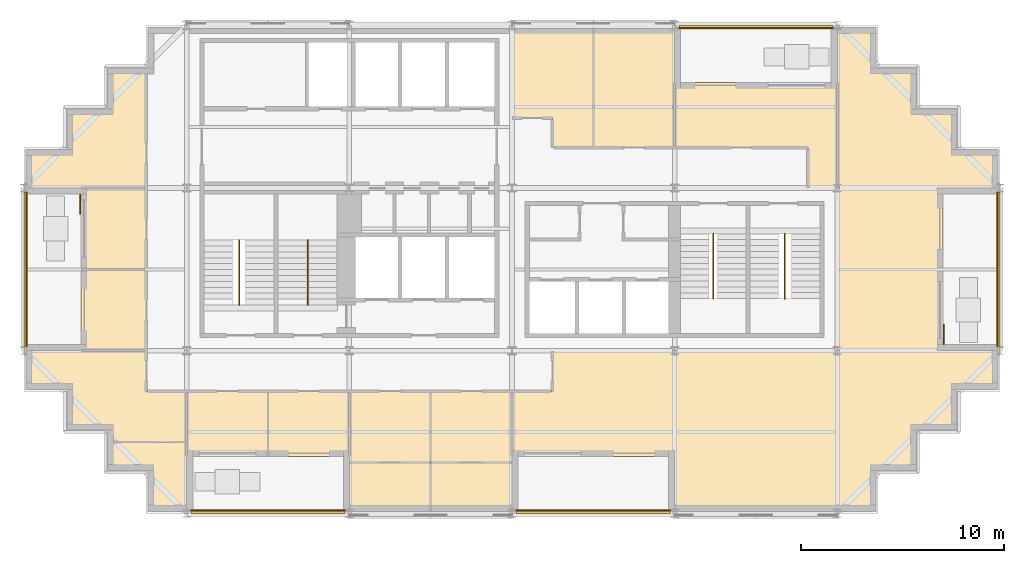
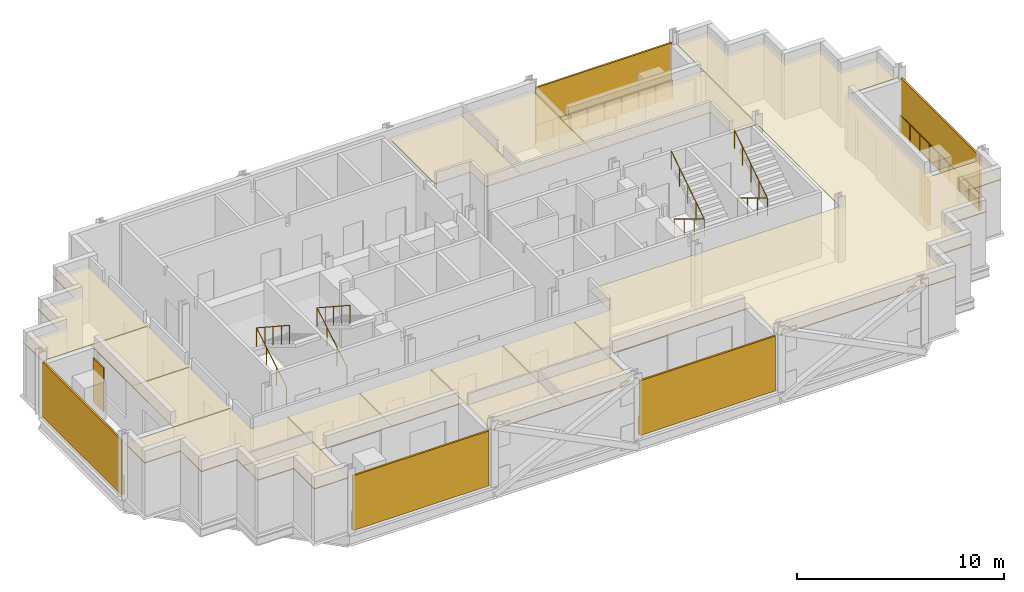
# One storey, part 7 of 8: 15 coverings, 9 railings, 7 shading devices.
"""IFC4 building model written with IfcOpenShell, lengths in metres."""

from ifc_helpers import new_model, si_unit, direction, frame, origin, origin_2d, place, context, subcontext, project, spatial, polyline, rectangle, circle, outline, extrude, material, layer, layer_set, type_object, element, save


model = new_model("IFC4")

# Units and contexts
model_context = context("Model", 3, precision=1e-05, world=origin(), true_north=direction((0.0, 1.0)))
body_context = subcontext(model_context, "Body", "Model", "MODEL_VIEW")
ifc_project = project(units=[si_unit("LENGTHUNIT", "METRE"), si_unit("AREAUNIT", "SQUARE_METRE"), si_unit("VOLUMEUNIT", "CUBIC_METRE"), si_unit("PLANEANGLEUNIT", "RADIAN"), si_unit("MASSUNIT", "GRAM", prefix="KILO")], contexts=[model_context])

# Site, building, storey
site_placement = place(None, origin())
site = spatial("IfcSite", under=ifc_project, at=site_placement, CompositionType="ELEMENT")
building_placement = place(site_placement, origin())
building = spatial("IfcBuilding", under=site, at=building_placement, Name="Immortelle Media Tower", CompositionType="ELEMENT")
storey_placement = place(building_placement, frame((0.0, 0.0, 197.0)))
storey = spatial("IfcBuildingStorey", under=building, at=storey_placement, Name="L41", CompositionType="ELEMENT", Elevation=197.0)

# Railings
ifc_material_1 = material(Name="Powder-coated aluminium fretwork panel, laminated glass backing", Category="aluminium")
railing_type_1 = type_object("IfcRailingType", Name="Fretwork balustrade 1100", PredefinedType="BALUSTRADE", material=ifc_material_1)
railing_1_placement = place(storey_placement, frame((8.200439453125, 0.139892578125, 0.0)))
element("IfcRailing", 1, at=railing_1_placement, inside=storey, type_object=railing_type_1, Name="Fretwork balustrade L41 S0", PredefinedType="BALUSTRADE", context=body_context, shape_type="SweptSolid", body=[
    extrude(circle(Radius=0.02490234375, at=origin_2d()), frame((0.0, 0.0, 1.0751953125), z_axis=(1.0, 0.0, 0.0), x_axis=(0.0, 1.0, 0.0)), (0.0, 0.0, 1.0), 7.593994140625),
    extrude(circle(Radius=0.02001953125, at=origin_2d()), origin(), (0.0, 0.0, 1.0), 1.050048828125),
    extrude(circle(Radius=0.02001953125, at=origin_2d()), frame((0.94921875, 0.0, 0.0)), (0.0, 0.0, 1.0), 1.050048828125),
    extrude(circle(Radius=0.02001953125, at=origin_2d()), frame((1.8984375, 0.0, 0.0)), (0.0, 0.0, 1.0), 1.050048828125),
    extrude(circle(Radius=0.02001953125, at=origin_2d()), frame((2.84765625, 0.0, 0.0)), (0.0, 0.0, 1.0), 1.050048828125),
    extrude(circle(Radius=0.02001953125, at=origin_2d()), frame((3.796875, 0.0, 0.0)), (0.0, 0.0, 1.0), 1.050048828125),
    extrude(circle(Radius=0.02001953125, at=origin_2d()), frame((4.746337890625, 0.0, 0.0)), (0.0, 0.0, 1.0), 1.050048828125),
    extrude(circle(Radius=0.02001953125, at=origin_2d()), frame((5.695556640625, 0.0, 0.0)), (0.0, 0.0, 1.0), 1.050048828125),
    extrude(circle(Radius=0.02001953125, at=origin_2d()), frame((6.644775390625, 0.0, 0.0)), (0.0, 0.0, 1.0), 1.050048828125),
    extrude(circle(Radius=0.02001953125, at=origin_2d()), frame((7.593994140625, 0.0, 0.0)), (0.0, 0.0, 1.0), 1.050048828125),
])
railing_2_placement = place(storey_placement, frame((24.20556640625, 0.139892578125, 0.0)))
element("IfcRailing", 2, at=railing_2_placement, inside=storey, type_object=railing_type_1, Name="Fretwork balustrade L41 S2", PredefinedType="BALUSTRADE", context=body_context, shape_type="SweptSolid", body=[
    extrude(circle(Radius=0.02490234375, at=origin_2d()), frame((0.0, 0.0, 1.0751953125), z_axis=(1.0, 0.0, 0.0), x_axis=(0.0, 1.0, 0.0)), (0.0, 0.0, 1.0), 7.5888671875),
    extrude(circle(Radius=0.02001953125, at=origin_2d()), origin(), (0.0, 0.0, 1.0), 1.050048828125),
    extrude(circle(Radius=0.02001953125, at=origin_2d()), frame((0.94873046875, 0.0, 0.0)), (0.0, 0.0, 1.0), 1.050048828125),
    extrude(circle(Radius=0.02001953125, at=origin_2d()), frame((1.897216796875, 0.0, 0.0)), (0.0, 0.0, 1.0), 1.050048828125),
    extrude(circle(Radius=0.02001953125, at=origin_2d()), frame((2.845703125, 0.0, 0.0)), (0.0, 0.0, 1.0), 1.050048828125),
    extrude(circle(Radius=0.02001953125, at=origin_2d()), frame((3.79443359375, 0.0, 0.0)), (0.0, 0.0, 1.0), 1.050048828125),
    extrude(circle(Radius=0.02001953125, at=origin_2d()), frame((4.7431640625, 0.0, 0.0)), (0.0, 0.0, 1.0), 1.050048828125),
    extrude(circle(Radius=0.02001953125, at=origin_2d()), frame((5.691650390625, 0.0, 0.0)), (0.0, 0.0, 1.0), 1.050048828125),
    extrude(circle(Radius=0.02001953125, at=origin_2d()), frame((6.64013671875, 0.0, 0.0)), (0.0, 0.0, 1.0), 1.050048828125),
    extrude(circle(Radius=0.02001953125, at=origin_2d()), frame((7.5888671875, 0.0, 0.0)), (0.0, 0.0, 1.0), 1.050048828125),
])
railing_3_placement = place(storey_placement, frame((47.860107421875, 8.199462890625, 0.0)))
element("IfcRailing", 3, at=railing_3_placement, inside=storey, type_object=railing_type_1, Name="Fretwork balustrade L41 E0", PredefinedType="BALUSTRADE", context=body_context, shape_type="SweptSolid", body=[
    extrude(circle(Radius=0.02490234375, at=origin_2d()), frame((0.0, 0.0, 1.0751953125), z_axis=(0.0, 1.0, 0.0), x_axis=(-1.0, 0.0, 0.0)), (0.0, 0.0, 1.0), 7.60107421875),
    extrude(circle(Radius=0.02001953125, at=origin_2d()), origin(), (0.0, 0.0, 1.0), 1.050048828125),
    extrude(circle(Radius=0.02001953125, at=origin_2d()), frame((0.0, 0.9501953125, 0.0)), (0.0, 0.0, 1.0), 1.050048828125),
    extrude(circle(Radius=0.02001953125, at=origin_2d()), frame((0.0, 1.900390625, 0.0)), (0.0, 0.0, 1.0), 1.050048828125),
    extrude(circle(Radius=0.02001953125, at=origin_2d()), frame((0.0, 2.850341796875, 0.0)), (0.0, 0.0, 1.0), 1.050048828125),
    extrude(circle(Radius=0.02001953125, at=origin_2d()), frame((0.0, 3.800537109375, 0.0)), (0.0, 0.0, 1.0), 1.050048828125),
    extrude(circle(Radius=0.02001953125, at=origin_2d()), frame((0.0, 4.750732421875, 0.0)), (0.0, 0.0, 1.0), 1.050048828125),
    extrude(circle(Radius=0.02001953125, at=origin_2d()), frame((0.0, 5.70068359375, 0.0)), (0.0, 0.0, 1.0), 1.050048828125),
    extrude(circle(Radius=0.02001953125, at=origin_2d()), frame((0.0, 6.65087890625, 0.0)), (0.0, 0.0, 1.0), 1.050048828125),
    extrude(circle(Radius=0.02001953125, at=origin_2d()), frame((0.0, 7.60107421875, 0.0)), (0.0, 0.0, 1.0), 1.050048828125),
])
railing_4_placement = place(storey_placement, frame((39.799560546875, 23.860107421875, 0.0)))
element("IfcRailing", 4, at=railing_4_placement, inside=storey, type_object=railing_type_1, Name="Fretwork balustrade L41 N0", PredefinedType="BALUSTRADE", context=body_context, shape_type="SweptSolid", body=[
    extrude(circle(Radius=0.02490234375, at=origin_2d()), frame((0.0, 0.0, 1.0751953125), z_axis=(-1.0, 0.0, 0.0), x_axis=(0.0, -1.0, 0.0)), (0.0, 0.0, 1.0), 7.593994140625),
    extrude(circle(Radius=0.02001953125, at=origin_2d()), origin(), (0.0, 0.0, 1.0), 1.050048828125),
    extrude(circle(Radius=0.02001953125, at=origin_2d()), frame((-0.94921875, 0.0, 0.0)), (0.0, 0.0, 1.0), 1.050048828125),
    extrude(circle(Radius=0.02001953125, at=origin_2d()), frame((-1.8984375, 0.0, 0.0)), (0.0, 0.0, 1.0), 1.050048828125),
    extrude(circle(Radius=0.02001953125, at=origin_2d()), frame((-2.84765625, 0.0, 0.0)), (0.0, 0.0, 1.0), 1.050048828125),
    extrude(circle(Radius=0.02001953125, at=origin_2d()), frame((-3.796875, 0.0, 0.0)), (0.0, 0.0, 1.0), 1.050048828125),
    extrude(circle(Radius=0.02001953125, at=origin_2d()), frame((-4.746337890625, 0.0, 0.0)), (0.0, 0.0, 1.0), 1.050048828125),
    extrude(circle(Radius=0.02001953125, at=origin_2d()), frame((-5.695556640625, 0.0, 0.0)), (0.0, 0.0, 1.0), 1.050048828125),
    extrude(circle(Radius=0.02001953125, at=origin_2d()), frame((-6.644775390625, 0.0, 0.0)), (0.0, 0.0, 1.0), 1.050048828125),
    extrude(circle(Radius=0.02001953125, at=origin_2d()), frame((-7.593994140625, 0.0, 0.0)), (0.0, 0.0, 1.0), 1.050048828125),
])
railing_5_placement = place(storey_placement, frame((0.139892578125, 15.800537109375, 0.0)))
element("IfcRailing", 5, at=railing_5_placement, inside=storey, type_object=railing_type_1, Name="Fretwork balustrade L41 W0", PredefinedType="BALUSTRADE", context=body_context, shape_type="SweptSolid", body=[
    extrude(circle(Radius=0.02490234375, at=origin_2d()), frame((0.0, 0.0, 1.0751953125), z_axis=(0.0, -1.0, 0.0), x_axis=(1.0, 0.0, 0.0)), (0.0, 0.0, 1.0), 7.60107421875),
    extrude(circle(Radius=0.02001953125, at=origin_2d()), origin(), (0.0, 0.0, 1.0), 1.050048828125),
    extrude(circle(Radius=0.02001953125, at=origin_2d()), frame((0.0, -0.9501953125, 0.0)), (0.0, 0.0, 1.0), 1.050048828125),
    extrude(circle(Radius=0.02001953125, at=origin_2d()), frame((0.0, -1.900390625, 0.0)), (0.0, 0.0, 1.0), 1.050048828125),
    extrude(circle(Radius=0.02001953125, at=origin_2d()), frame((0.0, -2.850341796875, 0.0)), (0.0, 0.0, 1.0), 1.050048828125),
    extrude(circle(Radius=0.02001953125, at=origin_2d()), frame((0.0, -3.800537109375, 0.0)), (0.0, 0.0, 1.0), 1.050048828125),
    extrude(circle(Radius=0.02001953125, at=origin_2d()), frame((0.0, -4.750732421875, 0.0)), (0.0, 0.0, 1.0), 1.050048828125),
    extrude(circle(Radius=0.02001953125, at=origin_2d()), frame((0.0, -5.70068359375, 0.0)), (0.0, 0.0, 1.0), 1.050048828125),
    extrude(circle(Radius=0.02001953125, at=origin_2d()), frame((0.0, -6.65087890625, 0.0)), (0.0, 0.0, 1.0), 1.050048828125),
    extrude(circle(Radius=0.02001953125, at=origin_2d()), frame((0.0, -7.60107421875, 0.0)), (0.0, 0.0, 1.0), 1.050048828125),
])

# Shading devices
ifc_material_2 = material(Name="Pale aluminium louvre blades", Category="aluminium")
ifc_layer_1 = layer(ifc_material_2, 0.10009765625)
ifc_layer_set_1 = layer_set([ifc_layer_1], Name="Pale aluminium louvre blades")
shading_device_type_1 = type_object("IfcShadingDeviceType", Name="Jalousie screen 100", PredefinedType="JALOUSIE", material=ifc_layer_set_1)
shading_device_1_placement = place(storey_placement, frame((11.99755859375, 0.050048828125, 0.0), z_axis=(0.0, 0.0, 1.0), x_axis=(1.0, 0.0, 0.0)))
element("IfcShadingDevice", 6, at=shading_device_1_placement, inside=storey, type_object=shading_device_type_1, Name="Jalousie screen L41 S0", PredefinedType="JALOUSIE", context=body_context, shape_type="SweptSolid", body=[
    extrude(rectangle(XDim=7.593994140625, YDim=0.10009765625, at=origin_2d()), origin(), (0.0, 0.0, 1.0), 3.238037109375),
])
shading_device_2_placement = place(storey_placement, frame((28.0, 0.050048828125, 0.0), z_axis=(0.0, 0.0, 1.0), x_axis=(1.0, 0.0, 0.0)))
element("IfcShadingDevice", 7, at=shading_device_2_placement, inside=storey, type_object=shading_device_type_1, Name="Jalousie screen L41 S2", PredefinedType="JALOUSIE", context=body_context, shape_type="SweptSolid", body=[
    extrude(rectangle(XDim=7.589111328125, YDim=0.10009765625, at=origin_2d()), origin(), (0.0, 0.0, 1.0), 3.238037109375),
])
shading_device_3_placement = place(storey_placement, frame((47.949951171875, 12.0, 0.0), z_axis=(0.0, 0.0, 1.0), x_axis=(0.0, 1.0, 0.0)))
element("IfcShadingDevice", 8, at=shading_device_3_placement, inside=storey, type_object=shading_device_type_1, Name="Jalousie screen L41 E0", PredefinedType="JALOUSIE", context=body_context, shape_type="SweptSolid", body=[
    extrude(rectangle(XDim=7.60107421875, YDim=0.10009765625, at=origin_2d()), origin(), (0.0, 0.0, 1.0), 3.238037109375),
])
shading_device_4_placement = place(storey_placement, frame((36.00244140625, 23.949951171875, 0.0), z_axis=(0.0, 0.0, 1.0), x_axis=(-1.0, 0.0, 0.0)))
element("IfcShadingDevice", 9, at=shading_device_4_placement, inside=storey, type_object=shading_device_type_1, Name="Jalousie screen L41 N0", PredefinedType="JALOUSIE", context=body_context, shape_type="SweptSolid", body=[
    extrude(rectangle(XDim=7.593994140625, YDim=0.10009765625, at=origin_2d()), origin(), (0.0, 0.0, 1.0), 3.238037109375),
])
shading_device_5_placement = place(storey_placement, frame((0.050048828125, 12.0, 0.0), z_axis=(0.0, 0.0, 1.0), x_axis=(0.0, -1.0, 0.0)))
element("IfcShadingDevice", 10, at=shading_device_5_placement, inside=storey, type_object=shading_device_type_1, Name="Jalousie screen L41 W0", PredefinedType="JALOUSIE", context=body_context, shape_type="SweptSolid", body=[
    extrude(rectangle(XDim=7.60107421875, YDim=0.10009765625, at=origin_2d()), origin(), (0.0, 0.0, 1.0), 3.238037109375),
])
ifc_material_3 = material(Name="Pale aluminium louvre blades in a folding frame", Category="aluminium")
ifc_layer_2 = layer(ifc_material_3, 0.050048828125)
ifc_layer_set_2 = layer_set([ifc_layer_2], Name="Pale aluminium louvre blades in a folding frame")
shading_device_type_2 = type_object("IfcShadingDeviceType", Name="Louvred loggia shutter", PredefinedType="SHUTTER", material=ifc_layer_set_2)
for number, where, z_axis, x_axis, name in (
    (11, (45.22509765625, 8.800048828125, 0.0), (0.0, 0.0, 1.0), (0.0, 1.0, 0.0), "Loggia shutter L41 E0"),
    (12, (2.77490234375, 15.199951171875, 0.0), (0.0, 0.0, 1.0), (0.0, -1.0, 0.0), "Loggia shutter L41 W0"),
):
    element("IfcShadingDevice", number, at=place(storey_placement, frame(where, z_axis=z_axis, x_axis=x_axis)), inside=storey, type_object=shading_device_type_2, Name=name, PredefinedType="SHUTTER", context=body_context, shape_type="SweptSolid", body=[
        extrude(rectangle(XDim=1.0, YDim=0.050048828125, at=origin_2d()), origin(), (0.0, 0.0, 1.0), 2.60009765625),
    ])

# Railings
ifc_material_4 = material(Name="Stainless steel AISI 316", Category="steel")
railing_type_2 = type_object("IfcRailingType", Name="Stair guard 1100", PredefinedType="GUARDRAIL", material=ifc_material_4)
for number, where, name in (
    (13, (10.574951171875, 10.5400390625, 0.173828125), "Stair guard SW1"),
    (14, (13.949951171875, 10.5400390625, 0.173828125), "Stair guard SW2"),
):
    element("IfcRailing", number, at=place(storey_placement, frame(where)), inside=storey, type_object=railing_type_2, Name=name, PredefinedType="GUARDRAIL", context=body_context, shape_type="SweptSolid", body=[
        extrude(circle(Radius=0.02392578125, at=origin_2d()), frame((0.0, 0.0, 1.076171875), z_axis=(0.0, 0.857582100076, 0.514347102285), x_axis=(-1.0, 0.0, 0.0)), (0.0, 0.0, 1.0), 3.381591796875),
        extrude(circle(Radius=0.02392578125, at=origin_2d()), frame((0.0, 2.89990234375, 2.8154296875), z_axis=(0.0, -0.836827423118, 0.547466769693), x_axis=(1.0, 0.0, 0.0)), (0.0, 0.0, 1.0), 3.81201171875),
        extrude(circle(Radius=0.02099609375, at=origin_2d()), origin(), (0.0, 0.0, 1.0), 1.052001953125),
        extrude(circle(Radius=0.02099609375, at=origin_2d()), frame((0.0, 0.966552734375, 0.579833984375)), (0.0, 0.0, 1.0), 1.052001953125),
        extrude(circle(Radius=0.02099609375, at=origin_2d()), frame((0.0, 1.933349609375, 1.159423828125)), (0.0, 0.0, 1.0), 1.052001953125),
        extrude(circle(Radius=0.02099609375, at=origin_2d()), frame((0.0, 2.89990234375, 1.7392578125)), (0.0, 0.0, 1.0), 1.052001953125),
        extrude(circle(Radius=0.02099609375, at=origin_2d()), frame((0.0, 2.1025390625, 2.260986328125)), (0.0, 0.0, 1.0), 1.052001953125),
        extrude(circle(Radius=0.02099609375, at=origin_2d()), frame((0.0, 1.304931640625, 2.78271484375)), (0.0, 0.0, 1.0), 1.052001953125),
        extrude(circle(Radius=0.02099609375, at=origin_2d()), frame((0.0, 0.50732421875, 3.304443359375)), (0.0, 0.0, 1.0), 1.052001953125),
        extrude(circle(Radius=0.02099609375, at=origin_2d()), frame((0.0, -0.2900390625, 3.826171875)), (0.0, 0.0, 1.0), 1.052001953125),
    ])
for number, where, name in (
    (15, (33.89990234375, 13.4599609375, 0.173828125), "Stair guard SE1"),
    (16, (37.425048828125, 13.4599609375, 0.173828125), "Stair guard SE2"),
):
    element("IfcRailing", number, at=place(storey_placement, frame(where)), inside=storey, type_object=railing_type_2, Name=name, PredefinedType="GUARDRAIL", context=body_context, shape_type="SweptSolid", body=[
        extrude(circle(Radius=0.02392578125, at=origin_2d()), frame((0.0, 0.0, 1.076171875), z_axis=(0.0, -0.857582100076, 0.514347102285), x_axis=(1.0, 0.0, 0.0)), (0.0, 0.0, 1.0), 3.381591796875),
        extrude(circle(Radius=0.02392578125, at=origin_2d()), frame((0.0, -2.89990234375, 2.8154296875), z_axis=(0.0, 0.836827423118, 0.547466769693), x_axis=(-1.0, 0.0, 0.0)), (0.0, 0.0, 1.0), 3.81201171875),
        extrude(circle(Radius=0.02099609375, at=origin_2d()), origin(), (0.0, 0.0, 1.0), 1.052001953125),
        extrude(circle(Radius=0.02099609375, at=origin_2d()), frame((0.0, -0.966552734375, 0.579833984375)), (0.0, 0.0, 1.0), 1.052001953125),
        extrude(circle(Radius=0.02099609375, at=origin_2d()), frame((0.0, -1.933349609375, 1.159423828125)), (0.0, 0.0, 1.0), 1.052001953125),
        extrude(circle(Radius=0.02099609375, at=origin_2d()), frame((0.0, -2.89990234375, 1.7392578125)), (0.0, 0.0, 1.0), 1.052001953125),
        extrude(circle(Radius=0.02099609375, at=origin_2d()), frame((0.0, -2.1025390625, 2.260986328125)), (0.0, 0.0, 1.0), 1.052001953125),
        extrude(circle(Radius=0.02099609375, at=origin_2d()), frame((0.0, -1.304931640625, 2.78271484375)), (0.0, 0.0, 1.0), 1.052001953125),
        extrude(circle(Radius=0.02099609375, at=origin_2d()), frame((0.0, -0.50732421875, 3.304443359375)), (0.0, 0.0, 1.0), 1.052001953125),
        extrude(circle(Radius=0.02099609375, at=origin_2d()), frame((0.0, 0.2900390625, 3.826171875)), (0.0, 0.0, 1.0), 1.052001953125),
    ])

# Coverings
ifc_material_5 = material(Name="Mineral fibre tile ceiling")
ifc_layer_3 = layer(ifc_material_5, 0.050048828125)
ifc_layer_set_3 = layer_set([ifc_layer_3], Name="Mineral fibre tile ceiling")
covering_type = type_object("IfcCoveringType", Name="Suspended ceiling 50", PredefinedType="CEILING", material=ifc_layer_set_3)
covering_1_placement = place(storey_placement, frame((0.0, 0.0, 3.10693359375)))
element("IfcCovering", 17, at=covering_1_placement, inside=storey, type_object=covering_type, Name="Ceiling L41-001", PredefinedType="CEILING", context=body_context, shape_type="SweptSolid", body=[
    extrude(outline(polyline([(16.0, 6.0), (20.0, 6.0), (20.0, 2.5), (16.0, 2.5), (16.0, 2.800048828125), (16.0, 6.0)])), origin(), (0.0, 0.0, 1.0), 0.050048828125),
])
covering_2_placement = place(storey_placement, frame((0.0, 0.0, 3.10693359375)))
element("IfcCovering", 18, at=covering_2_placement, inside=storey, type_object=covering_type, Name="Ceiling L41-002", PredefinedType="CEILING", context=body_context, shape_type="SweptSolid", body=[
    extrude(outline(polyline([(20.0, 0.10009765625), (16.0, 0.10009765625), (16.0, 2.5), (20.0, 2.5), (20.0, 0.10009765625)])), origin(), (0.0, 0.0, 1.0), 0.050048828125),
])
covering_3_placement = place(storey_placement, frame((0.0, 0.0, 3.10693359375)))
element("IfcCovering", 19, at=covering_3_placement, inside=storey, type_object=covering_type, Name="Ceiling L41-003", PredefinedType="CEILING", context=body_context, shape_type="SweptSolid", body=[
    extrude(outline(polyline([(24.0, 2.800048828125), (24.0, 2.5), (20.0, 2.5), (20.0, 6.0), (24.0, 6.0), (24.0, 2.800048828125)])), origin(), (0.0, 0.0, 1.0), 0.050048828125),
])
covering_4_placement = place(storey_placement, frame((0.0, 0.0, 3.10693359375)))
element("IfcCovering", 20, at=covering_4_placement, inside=storey, type_object=covering_type, Name="Ceiling L41-004", PredefinedType="CEILING", context=body_context, shape_type="SweptSolid", body=[
    extrude(outline(polyline([(24.0, 0.10009765625), (20.0, 0.10009765625), (20.0, 2.5), (24.0, 2.5), (24.0, 0.10009765625)])), origin(), (0.0, 0.0, 1.0), 0.050048828125),
])
covering_5_placement = place(storey_placement, frame((0.0, 0.0, 3.10693359375)))
element("IfcCovering", 21, at=covering_5_placement, inside=storey, type_object=covering_type, Name="Ceiling L41-005", PredefinedType="CEILING", context=body_context, shape_type="SweptSolid", body=[
    extrude(outline(polyline([(8.0, 6.0), (12.0, 6.0), (12.0, 2.800048828125), (8.0, 2.800048828125), (8.0, 6.0)])), origin(), (0.0, 0.0, 1.0), 0.050048828125),
])
covering_6_placement = place(storey_placement, frame((0.0, 0.0, 3.10693359375)))
element("IfcCovering", 22, at=covering_6_placement, inside=storey, type_object=covering_type, Name="Ceiling L41-006", PredefinedType="CEILING", context=body_context, shape_type="SweptSolid", body=[
    extrude(outline(polyline([(16.0, 6.0), (16.0, 2.800048828125), (12.0, 2.800048828125), (12.0, 6.0), (16.0, 6.0)])), origin(), (0.0, 0.0, 1.0), 0.050048828125),
])
covering_7_placement = place(storey_placement, frame((0.0, 0.0, 3.10693359375)))
element("IfcCovering", 23, at=covering_7_placement, inside=storey, type_object=covering_type, Name="Ceiling L41-007", PredefinedType="CEILING", context=body_context, shape_type="SweptSolid", body=[
    extrude(outline(polyline([(4.10009765625, 4.10009765625), (4.0, 4.10009765625), (2.10009765625, 4.10009765625), (2.10009765625, 6.10009765625), (0.10009765625, 6.10009765625), (0.10009765625, 8.0), (2.800048828125, 8.0), (4.0, 8.0), (6.0, 8.0), (6.0, 6.0), (8.0, 6.0), (8.0, 3.5), (4.10009765625, 3.5), (4.10009765625, 4.10009765625)])), origin(), (0.0, 0.0, 1.0), 0.050048828125),
])
covering_8_placement = place(storey_placement, frame((0.0, 0.0, 3.10693359375)))
element("IfcCovering", 24, at=covering_8_placement, inside=storey, type_object=covering_type, Name="Ceiling L41-008", PredefinedType="CEILING", context=body_context, shape_type="SweptSolid", body=[
    extrude(outline(polyline([(4.10009765625, 3.5), (8.0, 3.5), (8.0, 2.800048828125), (8.0, 0.10009765625), (6.10009765625, 0.10009765625), (6.10009765625, 2.10009765625), (4.10009765625, 2.10009765625), (4.10009765625, 3.5)])), origin(), (0.0, 0.0, 1.0), 0.050048828125),
])
covering_9_placement = place(storey_placement, frame((0.0, 0.0, 3.10693359375)))
element("IfcCovering", 25, at=covering_9_placement, inside=storey, type_object=covering_type, Name="Ceiling L41-009", PredefinedType="CEILING", context=body_context, shape_type="SweptSolid", body=[
    extrude(outline(polyline([(26.0, 6.0), (26.0, 8.0), (32.0, 8.0), (40.0, 8.0), (40.0, 16.0), (40.0, 21.199951171875), (40.0, 23.89990234375), (41.89990234375, 23.89990234375), (41.89990234375, 21.89990234375), (43.89990234375, 21.89990234375), (43.89990234375, 19.89990234375), (45.89990234375, 19.89990234375), (45.89990234375, 17.89990234375), (47.89990234375, 17.89990234375), (47.89990234375, 16.0), (45.199951171875, 16.0), (45.199951171875, 8.0), (47.89990234375, 8.0), (47.89990234375, 6.10009765625), (45.89990234375, 6.10009765625), (45.89990234375, 4.10009765625), (43.89990234375, 4.10009765625), (43.89990234375, 2.10009765625), (41.89990234375, 2.10009765625), (41.89990234375, 0.10009765625), (40.0, 0.10009765625), (32.0, 0.10009765625), (32.0, 2.800048828125), (24.0, 2.800048828125), (24.0, 6.0), (26.0, 6.0)])), origin(), (0.0, 0.0, 1.0), 0.050048828125),
])
covering_10_placement = place(storey_placement, frame((0.0, 0.0, 3.10693359375)))
element("IfcCovering", 26, at=covering_10_placement, inside=storey, type_object=covering_type, Name="Ceiling L41-010", PredefinedType="CEILING", context=body_context, shape_type="SweptSolid", body=[
    extrude(outline(polyline([(2.800048828125, 8.0), (2.800048828125, 12.0), (6.0, 12.0), (6.0, 8.0), (2.800048828125, 8.0)])), origin(), (0.0, 0.0, 1.0), 0.050048828125),
])
covering_11_placement = place(storey_placement, frame((0.0, 0.0, 3.10693359375)))
element("IfcCovering", 27, at=covering_11_placement, inside=storey, type_object=covering_type, Name="Ceiling L41-011", PredefinedType="CEILING", context=body_context, shape_type="SweptSolid", body=[
    extrude(outline(polyline([(2.800048828125, 16.0), (6.0, 16.0), (6.0, 12.0), (2.800048828125, 12.0), (2.800048828125, 16.0)])), origin(), (0.0, 0.0, 1.0), 0.050048828125),
])
covering_12_placement = place(storey_placement, frame((0.0, 0.0, 3.10693359375)))
element("IfcCovering", 28, at=covering_12_placement, inside=storey, type_object=covering_type, Name="Ceiling L41-012", PredefinedType="CEILING", context=body_context, shape_type="SweptSolid", body=[
    extrude(outline(polyline([(2.10009765625, 17.89990234375), (2.10009765625, 19.89990234375), (4.10009765625, 19.89990234375), (4.10009765625, 21.89990234375), (6.0, 21.89990234375), (6.0, 19.449951171875), (6.0, 16.0), (2.800048828125, 16.0), (0.10009765625, 16.0), (0.10009765625, 17.89990234375), (2.10009765625, 17.89990234375)])), origin(), (0.0, 0.0, 1.0), 0.050048828125),
])
covering_13_placement = place(storey_placement, frame((0.0, 0.0, 3.10693359375)))
element("IfcCovering", 29, at=covering_13_placement, inside=storey, type_object=covering_type, Name="Ceiling L41-013", PredefinedType="CEILING", context=body_context, shape_type="SweptSolid", body=[
    extrude(outline(polyline([(38.550048828125, 16.0), (38.550048828125, 18.0), (32.0, 18.0), (32.0, 21.199951171875), (40.0, 21.199951171875), (40.0, 16.0), (38.550048828125, 16.0)])), origin(), (0.0, 0.0, 1.0), 0.050048828125),
])
covering_14_placement = place(storey_placement, frame((0.0, 0.0, 3.10693359375)))
element("IfcCovering", 30, at=covering_14_placement, inside=storey, type_object=covering_type, Name="Ceiling L41-014", PredefinedType="CEILING", context=body_context, shape_type="SweptSolid", body=[
    extrude(outline(polyline([(26.0, 18.0), (26.0, 19.449951171875), (24.0, 19.449951171875), (24.0, 21.199951171875), (24.0, 23.89990234375), (28.0, 23.89990234375), (28.0, 18.0), (27.0, 18.0), (26.0, 18.0)])), origin(), (0.0, 0.0, 1.0), 0.050048828125),
])
covering_15_placement = place(storey_placement, frame((0.0, 0.0, 3.10693359375)))
element("IfcCovering", 31, at=covering_15_placement, inside=storey, type_object=covering_type, Name="Ceiling L41-015", PredefinedType="CEILING", context=body_context, shape_type="SweptSolid", body=[
    extrude(outline(polyline([(32.0, 23.89990234375), (32.0, 21.199951171875), (32.0, 18.0), (28.0, 18.0), (28.0, 23.89990234375), (32.0, 23.89990234375)])), origin(), (0.0, 0.0, 1.0), 0.050048828125),
])

save(model, "model.ifc")
